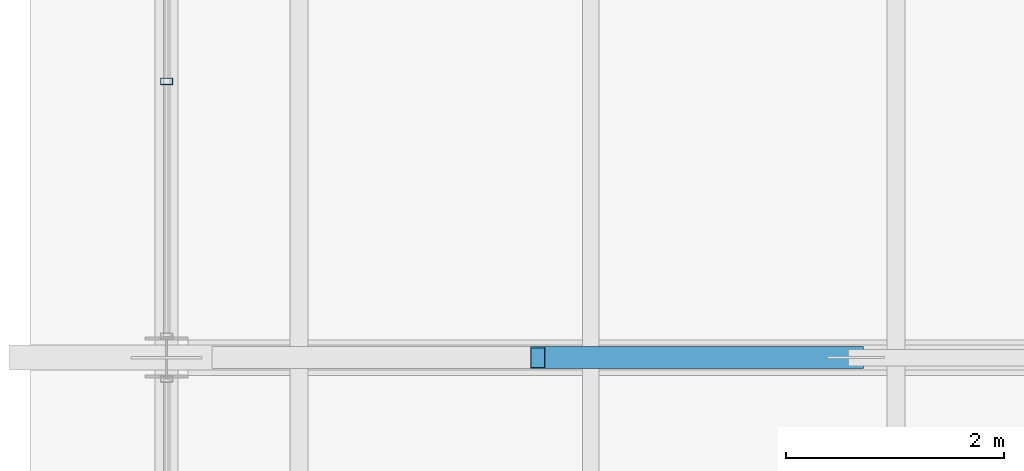
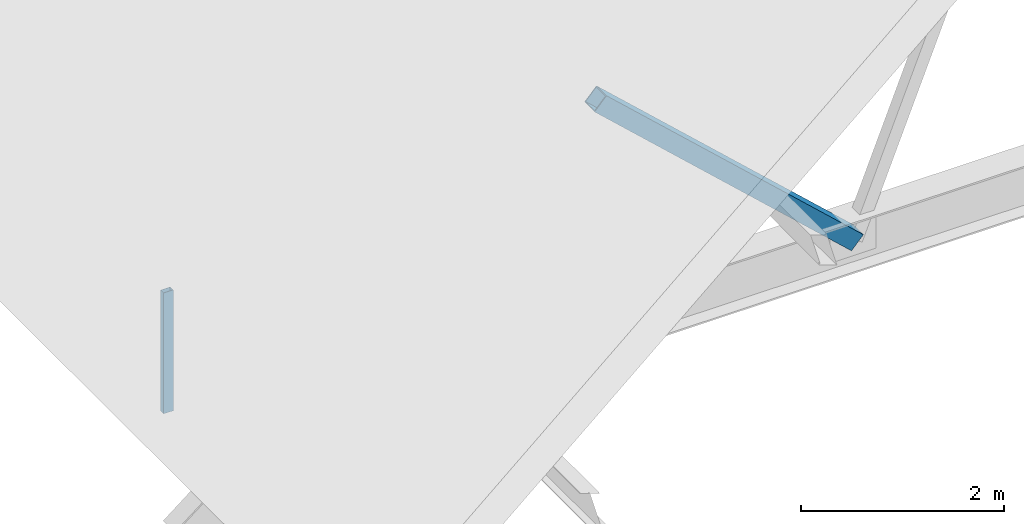
# One storey, part 27 of 44: 2 members, 1 element without a shape of its own.
"""IFC4 building model written with IfcOpenShell, lengths in metres."""

from ifc_helpers import new_model, si_unit, direction, frame, origin, origin_2d, place, context, subcontext, project, spatial, hollow_rectangle, extrude, material, material_profile, profile_set, type_object, element, aggregate, save


model = new_model("IFC4")

# Units and contexts
model_context = context("Model", 3, precision=1e-05, world=origin(), true_north=direction((0.0, 1.0)))
body_context = subcontext(model_context, "Body", "Model", "MODEL_VIEW")
ifc_project = project(units=[si_unit("LENGTHUNIT", "METRE"), si_unit("AREAUNIT", "SQUARE_METRE"), si_unit("VOLUMEUNIT", "CUBIC_METRE"), si_unit("PLANEANGLEUNIT", "RADIAN"), si_unit("MASSUNIT", "GRAM", prefix="KILO")], contexts=[model_context])

# Site, building, storey
site_placement = place(None, origin())
site = spatial("IfcSite", under=ifc_project, at=site_placement, CompositionType="ELEMENT")
building_placement = place(site_placement, origin())
building = spatial("IfcBuilding", under=site, at=building_placement, Name="Cimatlan Art Gallery", CompositionType="ELEMENT")
storey_placement = place(building_placement, frame((0.0, 0.0, 26.39990234375)))
storey = spatial("IfcBuildingStorey", under=building, at=storey_placement, Name="Roof", CompositionType="ELEMENT", Elevation=26.39990234375)

# Curtain wall, member
ifc_material_1 = material(Name="Anodised bronze unitised curtain wall")
curtain_wall_type = type_object("IfcCurtainWallType", Name="CW-V-07010X01450-B3", PredefinedType="NOTDEFINED", material=ifc_material_1)
curtain_wall_placement = place(storey_placement, origin())
curtain_wall = element("IfcCurtainWall", 1, at=curtain_wall_placement, inside=storey, type_object=curtain_wall_type, Name="CW-CRW-W-09", PredefinedType="NOTDEFINED")
ifc_material_2 = material(Name="Anodised bronze aluminium 6063-T6", Category="aluminium")
ifc_material_profile_1 = material_profile(ifc_material_2, hollow_rectangle(XDim=0.06005859375, YDim=0.110107421875, WallThickness=0.00341796875, at=origin_2d()), Name="ALU60X110X3")
ifc_profile_set_1 = profile_set([ifc_material_profile_1], Name="Anodised bronze aluminium 6063-T6")
member_type_1 = type_object("IfcMemberType", Name="CW-MUL-110", PredefinedType="MULLION", material=ifc_profile_set_1)
member_1_placement = place(storey_placement, frame((74.89990234375, 70.831787109375, 0.0), z_axis=(0.0, 0.0, 1.0), x_axis=(0.0, 1.0, 0.0)))
member_1 = element("IfcMember", 2, at=member_1_placement, type_object=member_type_1, Name="CW-CRW-W-09-M2", PredefinedType="MULLION", context=body_context, shape_type="SweptSolid", body=[
    extrude(hollow_rectangle(XDim=0.06005859375, YDim=0.110107421875, WallThickness=0.00341796875, at=origin_2d()), origin(), (0.0, 0.0, 1.0), 1.4501953125),
])
aggregate(curtain_wall, [member_1])

# Member
ifc_material_3 = material(Name="Steel ASTM A500 Grade C", Category="steel")
ifc_material_profile_2 = material_profile(ifc_material_3, hollow_rectangle(XDim=0.199951171875, YDim=0.199951171875, WallThickness=0.010009765625, at=origin_2d()), Name="HSS200X200X10")
ifc_profile_set_2 = profile_set([ifc_material_profile_2], Name="Steel ASTM A500 Grade C")
member_type_2 = type_object("IfcMemberType", Name="MBR-TRS-DIAG-1", PredefinedType="BRACE", material=ifc_profile_set_2)
member_2_placement = place(storey_placement, frame((78.302001953125, 68.300048828125, 4.088134765625), z_axis=(0.735270574228, 0.0, -0.677773695768), x_axis=(0.0, 1.0, 0.0)))
element("IfcMember", 3, at=member_2_placement, inside=storey, type_object=member_type_2, Name="TRS-07-DW-2", PredefinedType="BRACE", context=body_context, shape_type="SweptSolid", body=[
    extrude(hollow_rectangle(XDim=0.199951171875, YDim=0.199951171875, WallThickness=0.010009765625, at=origin_2d()), origin(), (0.0, 0.0, 1.0), 3.9658203125),
])

save(model, "model.ifc")
